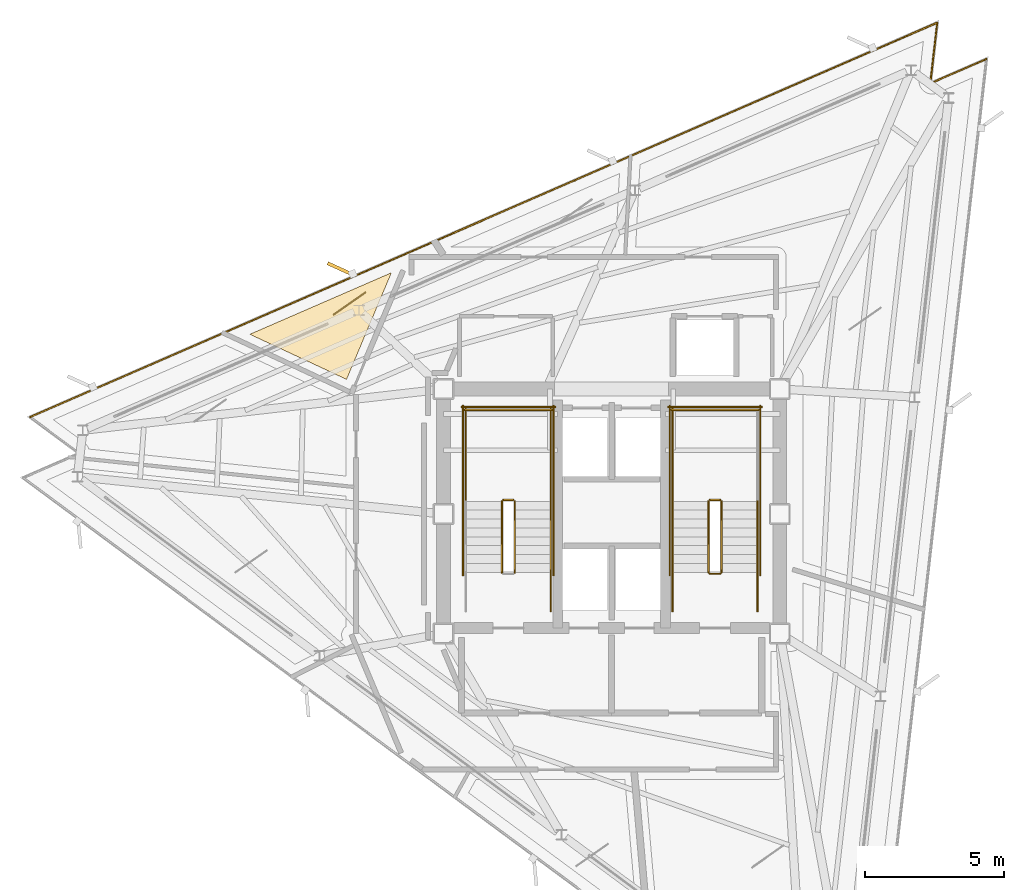
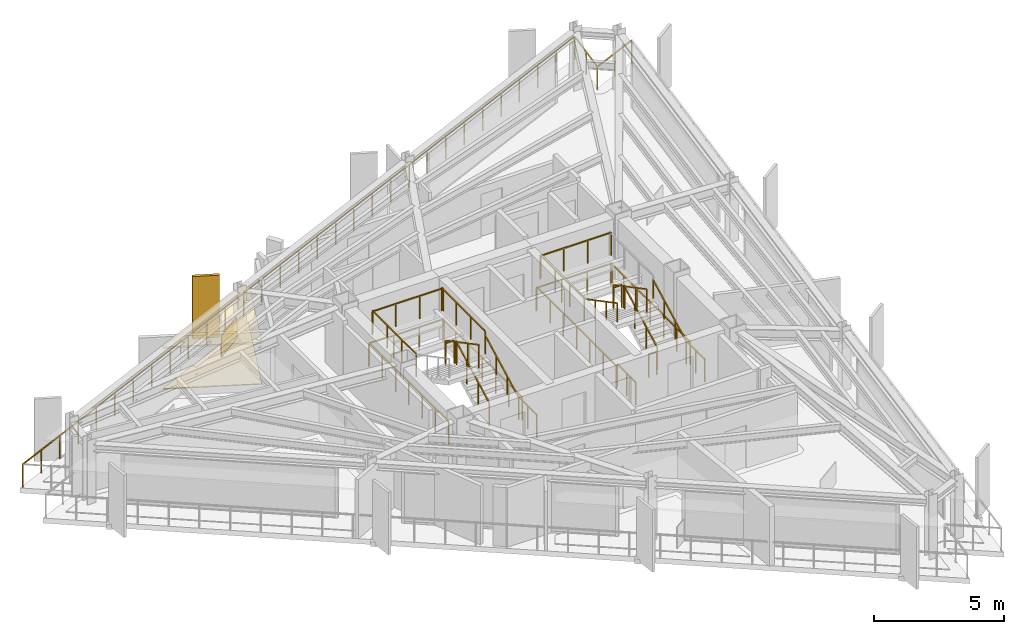
# One storey, part 9 of 10: 25 railings, 3 coverings, 1 shading device.
"""IFC4 building model written with IfcOpenShell, lengths in metres."""

from ifc_helpers import new_model, si_unit, direction, frame, origin, origin_2d, place, context, subcontext, project, spatial, polyline, rectangle, outline, extrude, material, layer, layer_set, type_object, element, save


model = new_model("IFC4")

# Units and contexts
model_context = context("Model", 3, precision=1e-05, world=origin(), true_north=direction((0.0, 1.0)))
body_context = subcontext(model_context, "Body", "Model", "MODEL_VIEW")
ifc_project = project(units=[si_unit("LENGTHUNIT", "METRE"), si_unit("AREAUNIT", "SQUARE_METRE"), si_unit("VOLUMEUNIT", "CUBIC_METRE"), si_unit("PLANEANGLEUNIT", "RADIAN"), si_unit("MASSUNIT", "GRAM", prefix="KILO")], contexts=[model_context])

# Site, building, storey
site_placement = place(None, origin())
site = spatial("IfcSite", under=ifc_project, at=site_placement, CompositionType="ELEMENT")
building_placement = place(site_placement, origin())
building = spatial("IfcBuilding", under=site, at=building_placement, Name="Rocaltana Carrier Exchange", CompositionType="ELEMENT")
storey_placement = place(building_placement, frame((0.0, 0.0, 230.080078125)))
storey = spatial("IfcBuildingStorey", under=building, at=storey_placement, Name="L73", CompositionType="ELEMENT", Elevation=230.080078125)

# Coverings
ifc_material_1 = material(Name="Honed Bogota Sandstone Tile", Category="masonry")
ifc_layer_1 = layer(ifc_material_1, 0.0400390625)
ifc_layer_set_1 = layer_set([ifc_layer_1], Name="Honed Bogota Sandstone Tile")
covering_type_1 = type_object("IfcCoveringType", Name="Honed Stone Lobby Flooring 40", PredefinedType="FLOORING", material=ifc_layer_set_1)
covering_1_placement = place(storey_placement, origin())
element("IfcCovering", 1, at=covering_1_placement, inside=storey, type_object=covering_type_1, Name="L73 Optical Switching Laboratory Finish Floor", PredefinedType="FLOORING", context=body_context, shape_type="SweptSolid", body=[
    extrude(outline(polyline([(-7.927490234375, 8.683837890625), (-9.541015625, 4.84619140625), (-13.021240234375, 6.468994140625), (-7.927490234375, 8.683837890625)])), origin(), (0.0, 0.0, 1.0), 0.0400390625),
])
ifc_material_2 = material(Name="Anodised Aluminium 6063-T6", Category="aluminium")
ifc_layer_2 = layer(ifc_material_2, 0.0849609375)
ifc_layer_set_2 = layer_set([ifc_layer_2], Name="Anodised Aluminium 6063-T6")
covering_type_2 = type_object("IfcCoveringType", Name="Linear Baffle Acoustic Ceiling 85", PredefinedType="CEILING", material=ifc_layer_set_2)
covering_2_placement = place(storey_placement, frame((0.0, 0.0, 1.90283203125)))
element("IfcCovering", 2, at=covering_2_placement, inside=storey, type_object=covering_type_2, Name="L73 Optical Switching Laboratory Acoustic Ceiling", PredefinedType="CEILING", context=body_context, shape_type="SweptSolid", body=[
    extrude(outline(polyline([(-7.927490234375, 8.683837890625), (-9.541015625, 4.84619140625), (-13.021240234375, 6.468994140625), (-7.927490234375, 8.683837890625)])), origin(), (0.0, 0.0, 1.0), 0.085205078125),
])

# Railings
ifc_material_3 = material(Name="Brushed Architectural Stainless Tube", Category="steel")
ifc_layer_3 = layer(ifc_material_3, 0.048095703125)
ifc_layer_set_3 = layer_set([ifc_layer_3], Name="Brushed Architectural Stainless Tube")
railing_type_1 = type_object("IfcRailingType", Name="Stair Wall Handrail 920", PredefinedType="HANDRAIL", material=ifc_layer_set_3)
for number, where, name in (
    (3, (-2.18994140625, -2.10009765625, 0.168701171875), "L73 ST-1 stair handrail 1"),
    (4, (5.25, -2.10009765625, 0.168701171875), "L73 ST-2 stair handrail 1"),
):
    element("IfcRailing", number, at=place(storey_placement, frame(where)), inside=storey, type_object=railing_type_1, Name=name, PredefinedType="HANDRAIL", context=body_context, shape_type="SweptSolid", body=[
        extrude(rectangle(XDim=0.048095703125, YDim=0.048095703125, at=origin_2d()), frame((0.0, 0.0, 0.8759765625), z_axis=(0.0, 0.884359608194, 0.46680625895), x_axis=(-1.0, 0.0, 0.0)), (0.0, 0.0, 1.0), 2.894775390625),
        extrude(rectangle(XDim=0.0419921875, YDim=0.0419921875, at=origin_2d()), origin(), (0.0, 0.0, 1.0), 0.851806640625),
        extrude(rectangle(XDim=0.0419921875, YDim=0.0419921875, at=origin_2d()), frame((0.0, 0.853271484375, 0.450439453125)), (0.0, 0.0, 1.0), 0.851806640625),
        extrude(rectangle(XDim=0.0419921875, YDim=0.0419921875, at=origin_2d()), frame((0.0, 1.706787109375, 0.90087890625)), (0.0, 0.0, 1.0), 0.851806640625),
        extrude(rectangle(XDim=0.0419921875, YDim=0.0419921875, at=origin_2d()), frame((0.0, 2.56005859375, 1.351318359375)), (0.0, 0.0, 1.0), 0.851806640625),
    ])
railing_1_placement = place(storey_placement, frame((2.18994140625, 0.4599609375, 1.688720703125)))
element("IfcRailing", 5, at=railing_1_placement, inside=storey, type_object=railing_type_1, Name="L73 ST-2 stair handrail 2", PredefinedType="HANDRAIL", context=body_context, shape_type="SweptSolid", body=[
    extrude(rectangle(XDim=0.048095703125, YDim=0.048095703125, at=origin_2d()), frame((0.0, 0.0, 0.8759765625), z_axis=(0.0, -0.884359608194, 0.46680625895), x_axis=(1.0, 0.0, 0.0)), (0.0, 0.0, 1.0), 2.894775390625),
    extrude(rectangle(XDim=0.0419921875, YDim=0.0419921875, at=origin_2d()), origin(), (0.0, 0.0, 1.0), 0.851806640625),
    extrude(rectangle(XDim=0.0419921875, YDim=0.0419921875, at=origin_2d()), frame((0.0, -0.853271484375, 0.450439453125)), (0.0, 0.0, 1.0), 0.851806640625),
    extrude(rectangle(XDim=0.0419921875, YDim=0.0419921875, at=origin_2d()), frame((0.0, -1.706787109375, 0.90087890625)), (0.0, 0.0, 1.0), 0.851806640625),
    extrude(rectangle(XDim=0.0419921875, YDim=0.0419921875, at=origin_2d()), frame((0.0, -2.56005859375, 1.351318359375)), (0.0, 0.0, 1.0), 0.851806640625),
])
ifc_material_4 = material(Name="Powder-Coated Aluminium 6063-T6", Category="aluminium")
ifc_layer_4 = layer(ifc_material_4, 0.048095703125)
ifc_layer_set_4 = layer_set([ifc_layer_4], Name="Powder-Coated Aluminium 6063-T6")
railing_type_2 = type_object("IfcRailingType", Name="Stair Well Guardrail 1100", PredefinedType="GUARDRAIL", material=ifc_layer_set_4)
railing_2_placement = place(storey_placement, frame((-3.489990234375, -2.10009765625, 0.168701171875)))
element("IfcRailing", 6, at=railing_2_placement, inside=storey, type_object=railing_type_2, Name="L73 ST-1 stair guard 1", PredefinedType="GUARDRAIL", context=body_context, shape_type="SweptSolid", body=[
    extrude(rectangle(XDim=0.048095703125, YDim=0.048095703125, at=origin_2d()), frame((0.0, 0.0, 1.076171875), z_axis=(0.0, 0.884359608194, 0.46680625895), x_axis=(-1.0, 0.0, 0.0)), (0.0, 0.0, 1.0), 2.894775390625),
    extrude(rectangle(XDim=0.0419921875, YDim=0.0419921875, at=origin_2d()), origin(), (0.0, 0.0, 1.0), 1.052001953125),
    extrude(rectangle(XDim=0.0419921875, YDim=0.0419921875, at=origin_2d()), frame((0.0, 0.853271484375, 0.450439453125)), (0.0, 0.0, 1.0), 1.052001953125),
    extrude(rectangle(XDim=0.0419921875, YDim=0.0419921875, at=origin_2d()), frame((0.0, 1.706787109375, 0.90087890625)), (0.0, 0.0, 1.0), 1.052001953125),
    extrude(rectangle(XDim=0.0419921875, YDim=0.0419921875, at=origin_2d()), frame((0.0, 2.56005859375, 1.351318359375)), (0.0, 0.0, 1.0), 1.052001953125),
])
railing_3_placement = place(storey_placement, frame((-3.5400390625, 0.510009765625, 1.52001953125)))
element("IfcRailing", 7, at=railing_3_placement, inside=storey, type_object=railing_type_2, Name="L73 ST-1 stair guard 2", PredefinedType="GUARDRAIL", context=body_context, shape_type="SweptSolid", body=[
    extrude(rectangle(XDim=0.048095703125, YDim=0.048095703125, at=origin_2d()), frame((0.0, 0.0, 1.076171875), z_axis=(-1.0, 0.0, 0.0), x_axis=(0.0, -1.0, 0.0)), (0.0, 0.0, 1.0), 0.35986328125),
    extrude(rectangle(XDim=0.0419921875, YDim=0.0419921875, at=origin_2d()), origin(), (0.0, 0.0, 1.0), 1.052001953125),
    extrude(rectangle(XDim=0.0419921875, YDim=0.0419921875, at=origin_2d()), frame((-0.35986328125, 0.0, 0.0)), (0.0, 0.0, 1.0), 1.052001953125),
])
for number, where, name in (
    (8, (-2.18994140625, 0.4599609375, 1.52001953125), "L73 ST-1 stair guard 3"),
    (9, (-5.25, 0.4599609375, 1.52001953125), "L73 ST-1 stair guard 4"),
):
    element("IfcRailing", number, at=place(storey_placement, frame(where)), inside=storey, type_object=railing_type_2, Name=name, PredefinedType="GUARDRAIL", context=body_context, shape_type="SweptSolid", body=[
        extrude(rectangle(XDim=0.048095703125, YDim=0.048095703125, at=origin_2d()), frame((0.0, 0.0, 1.076171875), z_axis=(0.0, 1.0, 0.0), x_axis=(-1.0, 0.0, 0.0)), (0.0, 0.0, 1.0), 3.340087890625),
        extrude(rectangle(XDim=0.0419921875, YDim=0.0419921875, at=origin_2d()), origin(), (0.0, 0.0, 1.0), 1.052001953125),
        extrude(rectangle(XDim=0.0419921875, YDim=0.0419921875, at=origin_2d()), frame((0.0, 1.11328125, 0.0)), (0.0, 0.0, 1.0), 1.052001953125),
        extrude(rectangle(XDim=0.0419921875, YDim=0.0419921875, at=origin_2d()), frame((0.0, 2.226806640625, 0.0)), (0.0, 0.0, 1.0), 1.052001953125),
        extrude(rectangle(XDim=0.0419921875, YDim=0.0419921875, at=origin_2d()), frame((0.0, 3.340087890625, 0.0)), (0.0, 0.0, 1.0), 1.052001953125),
    ])
railing_4_placement = place(storey_placement, frame((-2.139892578125, 3.75, 1.52001953125)))
element("IfcRailing", 10, at=railing_4_placement, inside=storey, type_object=railing_type_2, Name="L73 ST-1 stair guard 5", PredefinedType="GUARDRAIL", context=body_context, shape_type="SweptSolid", body=[
    extrude(rectangle(XDim=0.048095703125, YDim=0.048095703125, at=origin_2d()), frame((0.0, 0.0, 1.076171875), z_axis=(-1.0, 0.0, 0.0), x_axis=(0.0, -1.0, 0.0)), (0.0, 0.0, 1.0), 3.16015625),
    extrude(rectangle(XDim=0.0419921875, YDim=0.0419921875, at=origin_2d()), origin(), (0.0, 0.0, 1.0), 1.052001953125),
    extrude(rectangle(XDim=0.0419921875, YDim=0.0419921875, at=origin_2d()), frame((-1.053466796875, 0.0, 0.0)), (0.0, 0.0, 1.0), 1.052001953125),
    extrude(rectangle(XDim=0.0419921875, YDim=0.0419921875, at=origin_2d()), frame((-2.106689453125, 0.0, 0.0)), (0.0, 0.0, 1.0), 1.052001953125),
    extrude(rectangle(XDim=0.0419921875, YDim=0.0419921875, at=origin_2d()), frame((-3.16015625, 0.0, 0.0)), (0.0, 0.0, 1.0), 1.052001953125),
])
railing_5_placement = place(storey_placement, frame((-3.949951171875, 0.4599609375, 1.688720703125)))
element("IfcRailing", 11, at=railing_5_placement, inside=storey, type_object=railing_type_2, Name="L73 ST-1 stair guard 6", PredefinedType="GUARDRAIL", context=body_context, shape_type="SweptSolid", body=[
    extrude(rectangle(XDim=0.048095703125, YDim=0.048095703125, at=origin_2d()), frame((0.0, 0.0, 1.076171875), z_axis=(0.0, -0.884359608194, 0.46680625895), x_axis=(1.0, 0.0, 0.0)), (0.0, 0.0, 1.0), 2.894775390625),
    extrude(rectangle(XDim=0.0419921875, YDim=0.0419921875, at=origin_2d()), origin(), (0.0, 0.0, 1.0), 1.052001953125),
    extrude(rectangle(XDim=0.0419921875, YDim=0.0419921875, at=origin_2d()), frame((0.0, -0.853271484375, 0.450439453125)), (0.0, 0.0, 1.0), 1.052001953125),
    extrude(rectangle(XDim=0.0419921875, YDim=0.0419921875, at=origin_2d()), frame((0.0, -1.706787109375, 0.90087890625)), (0.0, 0.0, 1.0), 1.052001953125),
    extrude(rectangle(XDim=0.0419921875, YDim=0.0419921875, at=origin_2d()), frame((0.0, -2.56005859375, 1.351318359375)), (0.0, 0.0, 1.0), 1.052001953125),
])
railing_6_placement = place(storey_placement, frame((-2.18994140625, -3.5, 0.0)))
element("IfcRailing", 12, at=railing_6_placement, inside=storey, type_object=railing_type_2, Name="L73 ST-1 stair guard 8", PredefinedType="GUARDRAIL", context=body_context, shape_type="SweptSolid", body=[
    extrude(rectangle(XDim=0.048095703125, YDim=0.048095703125, at=origin_2d()), frame((0.0, 0.0, 1.076171875), z_axis=(0.0, 1.0, 0.0), x_axis=(-1.0, 0.0, 0.0)), (0.0, 0.0, 1.0), 1.39990234375),
    extrude(rectangle(XDim=0.0419921875, YDim=0.0419921875, at=origin_2d()), origin(), (0.0, 0.0, 1.0), 1.052001953125),
    extrude(rectangle(XDim=0.0419921875, YDim=0.0419921875, at=origin_2d()), frame((0.0, 0.699951171875, 0.0)), (0.0, 0.0, 1.0), 1.052001953125),
    extrude(rectangle(XDim=0.0419921875, YDim=0.0419921875, at=origin_2d()), frame((0.0, 1.39990234375, 0.0)), (0.0, 0.0, 1.0), 1.052001953125),
])
for number, where, name in (
    (13, (-2.090087890625, -2.199951171875, 0.0), "L73 ST-1 stair guard 10"),
    (14, (-5.35009765625, -2.199951171875, 0.0), "L73 ST-1 stair guard 11"),
):
    element("IfcRailing", number, at=place(storey_placement, frame(where)), inside=storey, type_object=railing_type_2, Name=name, PredefinedType="GUARDRAIL", context=body_context, shape_type="SweptSolid", body=[
        extrude(rectangle(XDim=0.048095703125, YDim=0.048095703125, at=origin_2d()), frame((0.0, 0.0, 1.076171875), z_axis=(0.0, 1.0, 0.0), x_axis=(-1.0, 0.0, 0.0)), (0.0, 0.0, 1.0), 6.099853515625),
        extrude(rectangle(XDim=0.0419921875, YDim=0.0419921875, at=origin_2d()), origin(), (0.0, 0.0, 1.0), 1.052001953125),
        extrude(rectangle(XDim=0.0419921875, YDim=0.0419921875, at=origin_2d()), frame((0.0, 1.0166015625, 0.0)), (0.0, 0.0, 1.0), 1.052001953125),
        extrude(rectangle(XDim=0.0419921875, YDim=0.0419921875, at=origin_2d()), frame((0.0, 2.033203125, 0.0)), (0.0, 0.0, 1.0), 1.052001953125),
        extrude(rectangle(XDim=0.0419921875, YDim=0.0419921875, at=origin_2d()), frame((0.0, 3.0498046875, 0.0)), (0.0, 0.0, 1.0), 1.052001953125),
        extrude(rectangle(XDim=0.0419921875, YDim=0.0419921875, at=origin_2d()), frame((0.0, 4.066650390625, 0.0)), (0.0, 0.0, 1.0), 1.052001953125),
        extrude(rectangle(XDim=0.0419921875, YDim=0.0419921875, at=origin_2d()), frame((0.0, 5.083251953125, 0.0)), (0.0, 0.0, 1.0), 1.052001953125),
        extrude(rectangle(XDim=0.0419921875, YDim=0.0419921875, at=origin_2d()), frame((0.0, 6.099853515625, 0.0)), (0.0, 0.0, 1.0), 1.052001953125),
    ])
railing_7_placement = place(storey_placement, frame((-2.0400390625, 3.85009765625, 0.0)))
element("IfcRailing", 15, at=railing_7_placement, inside=storey, type_object=railing_type_2, Name="L73 ST-1 stair guard 12", PredefinedType="GUARDRAIL", context=body_context, shape_type="SweptSolid", body=[
    extrude(rectangle(XDim=0.048095703125, YDim=0.048095703125, at=origin_2d()), frame((0.0, 0.0, 1.076171875), z_axis=(-1.0, 0.0, 0.0), x_axis=(0.0, -1.0, 0.0)), (0.0, 0.0, 1.0), 3.35986328125),
    extrude(rectangle(XDim=0.0419921875, YDim=0.0419921875, at=origin_2d()), origin(), (0.0, 0.0, 1.0), 1.052001953125),
    extrude(rectangle(XDim=0.0419921875, YDim=0.0419921875, at=origin_2d()), frame((-1.119873046875, 0.0, 0.0)), (0.0, 0.0, 1.0), 1.052001953125),
    extrude(rectangle(XDim=0.0419921875, YDim=0.0419921875, at=origin_2d()), frame((-2.239990234375, 0.0, 0.0)), (0.0, 0.0, 1.0), 1.052001953125),
    extrude(rectangle(XDim=0.0419921875, YDim=0.0419921875, at=origin_2d()), frame((-3.35986328125, 0.0, 0.0)), (0.0, 0.0, 1.0), 1.052001953125),
])
railing_8_placement = place(storey_placement, frame((3.949951171875, -2.10009765625, 0.168701171875)))
element("IfcRailing", 16, at=railing_8_placement, inside=storey, type_object=railing_type_2, Name="L73 ST-2 stair guard 1", PredefinedType="GUARDRAIL", context=body_context, shape_type="SweptSolid", body=[
    extrude(rectangle(XDim=0.048095703125, YDim=0.048095703125, at=origin_2d()), frame((0.0, 0.0, 1.076171875), z_axis=(0.0, 0.884359608194, 0.46680625895), x_axis=(-1.0, 0.0, 0.0)), (0.0, 0.0, 1.0), 2.894775390625),
    extrude(rectangle(XDim=0.0419921875, YDim=0.0419921875, at=origin_2d()), origin(), (0.0, 0.0, 1.0), 1.052001953125),
    extrude(rectangle(XDim=0.0419921875, YDim=0.0419921875, at=origin_2d()), frame((0.0, 0.853271484375, 0.450439453125)), (0.0, 0.0, 1.0), 1.052001953125),
    extrude(rectangle(XDim=0.0419921875, YDim=0.0419921875, at=origin_2d()), frame((0.0, 1.706787109375, 0.90087890625)), (0.0, 0.0, 1.0), 1.052001953125),
    extrude(rectangle(XDim=0.0419921875, YDim=0.0419921875, at=origin_2d()), frame((0.0, 2.56005859375, 1.351318359375)), (0.0, 0.0, 1.0), 1.052001953125),
])
railing_9_placement = place(storey_placement, frame((3.89990234375, 0.510009765625, 1.52001953125)))
element("IfcRailing", 17, at=railing_9_placement, inside=storey, type_object=railing_type_2, Name="L73 ST-2 stair guard 2", PredefinedType="GUARDRAIL", context=body_context, shape_type="SweptSolid", body=[
    extrude(rectangle(XDim=0.048095703125, YDim=0.048095703125, at=origin_2d()), frame((0.0, 0.0, 1.076171875), z_axis=(-1.0, 0.0, 0.0), x_axis=(0.0, -1.0, 0.0)), (0.0, 0.0, 1.0), 0.35986328125),
    extrude(rectangle(XDim=0.0419921875, YDim=0.0419921875, at=origin_2d()), origin(), (0.0, 0.0, 1.0), 1.052001953125),
    extrude(rectangle(XDim=0.0419921875, YDim=0.0419921875, at=origin_2d()), frame((-0.35986328125, 0.0, 0.0)), (0.0, 0.0, 1.0), 1.052001953125),
])
railing_10_placement = place(storey_placement, frame((2.18994140625, 0.4599609375, 1.52001953125)))
element("IfcRailing", 18, at=railing_10_placement, inside=storey, type_object=railing_type_2, Name="L73 ST-2 stair guard 4", PredefinedType="GUARDRAIL", context=body_context, shape_type="SweptSolid", body=[
    extrude(rectangle(XDim=0.048095703125, YDim=0.048095703125, at=origin_2d()), frame((0.0, 0.0, 1.076171875), z_axis=(0.0, 1.0, 0.0), x_axis=(-1.0, 0.0, 0.0)), (0.0, 0.0, 1.0), 3.340087890625),
    extrude(rectangle(XDim=0.0419921875, YDim=0.0419921875, at=origin_2d()), origin(), (0.0, 0.0, 1.0), 1.052001953125),
    extrude(rectangle(XDim=0.0419921875, YDim=0.0419921875, at=origin_2d()), frame((0.0, 1.11328125, 0.0)), (0.0, 0.0, 1.0), 1.052001953125),
    extrude(rectangle(XDim=0.0419921875, YDim=0.0419921875, at=origin_2d()), frame((0.0, 2.226806640625, 0.0)), (0.0, 0.0, 1.0), 1.052001953125),
    extrude(rectangle(XDim=0.0419921875, YDim=0.0419921875, at=origin_2d()), frame((0.0, 3.340087890625, 0.0)), (0.0, 0.0, 1.0), 1.052001953125),
])
railing_11_placement = place(storey_placement, frame((5.300048828125, 3.75, 1.52001953125)))
element("IfcRailing", 19, at=railing_11_placement, inside=storey, type_object=railing_type_2, Name="L73 ST-2 stair guard 5", PredefinedType="GUARDRAIL", context=body_context, shape_type="SweptSolid", body=[
    extrude(rectangle(XDim=0.048095703125, YDim=0.048095703125, at=origin_2d()), frame((0.0, 0.0, 1.076171875), z_axis=(-1.0, 0.0, 0.0), x_axis=(0.0, -1.0, 0.0)), (0.0, 0.0, 1.0), 3.16015625),
    extrude(rectangle(XDim=0.0419921875, YDim=0.0419921875, at=origin_2d()), origin(), (0.0, 0.0, 1.0), 1.052001953125),
    extrude(rectangle(XDim=0.0419921875, YDim=0.0419921875, at=origin_2d()), frame((-1.053466796875, 0.0, 0.0)), (0.0, 0.0, 1.0), 1.052001953125),
    extrude(rectangle(XDim=0.0419921875, YDim=0.0419921875, at=origin_2d()), frame((-2.106689453125, 0.0, 0.0)), (0.0, 0.0, 1.0), 1.052001953125),
    extrude(rectangle(XDim=0.0419921875, YDim=0.0419921875, at=origin_2d()), frame((-3.16015625, 0.0, 0.0)), (0.0, 0.0, 1.0), 1.052001953125),
])
railing_12_placement = place(storey_placement, frame((3.489990234375, 0.4599609375, 1.688720703125)))
element("IfcRailing", 20, at=railing_12_placement, inside=storey, type_object=railing_type_2, Name="L73 ST-2 stair guard 6", PredefinedType="GUARDRAIL", context=body_context, shape_type="SweptSolid", body=[
    extrude(rectangle(XDim=0.048095703125, YDim=0.048095703125, at=origin_2d()), frame((0.0, 0.0, 1.076171875), z_axis=(0.0, -0.884359608194, 0.46680625895), x_axis=(1.0, 0.0, 0.0)), (0.0, 0.0, 1.0), 2.894775390625),
    extrude(rectangle(XDim=0.0419921875, YDim=0.0419921875, at=origin_2d()), origin(), (0.0, 0.0, 1.0), 1.052001953125),
    extrude(rectangle(XDim=0.0419921875, YDim=0.0419921875, at=origin_2d()), frame((0.0, -0.853271484375, 0.450439453125)), (0.0, 0.0, 1.0), 1.052001953125),
    extrude(rectangle(XDim=0.0419921875, YDim=0.0419921875, at=origin_2d()), frame((0.0, -1.706787109375, 0.90087890625)), (0.0, 0.0, 1.0), 1.052001953125),
    extrude(rectangle(XDim=0.0419921875, YDim=0.0419921875, at=origin_2d()), frame((0.0, -2.56005859375, 1.351318359375)), (0.0, 0.0, 1.0), 1.052001953125),
])
railing_13_placement = place(storey_placement, frame((3.89990234375, -2.14990234375, 0.0)))
element("IfcRailing", 21, at=railing_13_placement, inside=storey, type_object=railing_type_2, Name="L73 ST-2 stair guard 7", PredefinedType="GUARDRAIL", context=body_context, shape_type="SweptSolid", body=[
    extrude(rectangle(XDim=0.048095703125, YDim=0.048095703125, at=origin_2d()), frame((0.0, 0.0, 1.076171875), z_axis=(-1.0, 0.0, 0.0), x_axis=(0.0, -1.0, 0.0)), (0.0, 0.0, 1.0), 0.35986328125),
    extrude(rectangle(XDim=0.0419921875, YDim=0.0419921875, at=origin_2d()), origin(), (0.0, 0.0, 1.0), 1.052001953125),
    extrude(rectangle(XDim=0.0419921875, YDim=0.0419921875, at=origin_2d()), frame((-0.35986328125, 0.0, 0.0)), (0.0, 0.0, 1.0), 1.052001953125),
])
for number, where, name in (
    (22, (5.25, -3.5, 0.0), "L73 ST-2 stair guard 8"),
    (23, (2.18994140625, -3.5, 0.0), "L73 ST-2 stair guard 9"),
):
    element("IfcRailing", number, at=place(storey_placement, frame(where)), inside=storey, type_object=railing_type_2, Name=name, PredefinedType="GUARDRAIL", context=body_context, shape_type="SweptSolid", body=[
        extrude(rectangle(XDim=0.048095703125, YDim=0.048095703125, at=origin_2d()), frame((0.0, 0.0, 1.076171875), z_axis=(0.0, 1.0, 0.0), x_axis=(-1.0, 0.0, 0.0)), (0.0, 0.0, 1.0), 1.39990234375),
        extrude(rectangle(XDim=0.0419921875, YDim=0.0419921875, at=origin_2d()), origin(), (0.0, 0.0, 1.0), 1.052001953125),
        extrude(rectangle(XDim=0.0419921875, YDim=0.0419921875, at=origin_2d()), frame((0.0, 0.699951171875, 0.0)), (0.0, 0.0, 1.0), 1.052001953125),
        extrude(rectangle(XDim=0.0419921875, YDim=0.0419921875, at=origin_2d()), frame((0.0, 1.39990234375, 0.0)), (0.0, 0.0, 1.0), 1.052001953125),
    ])
for number, where, name in (
    (24, (5.35009765625, -2.199951171875, 0.0), "L73 ST-2 stair guard 10"),
    (25, (2.090087890625, -2.199951171875, 0.0), "L73 ST-2 stair guard 11"),
):
    element("IfcRailing", number, at=place(storey_placement, frame(where)), inside=storey, type_object=railing_type_2, Name=name, PredefinedType="GUARDRAIL", context=body_context, shape_type="SweptSolid", body=[
        extrude(rectangle(XDim=0.048095703125, YDim=0.048095703125, at=origin_2d()), frame((0.0, 0.0, 1.076171875), z_axis=(0.0, 1.0, 0.0), x_axis=(-1.0, 0.0, 0.0)), (0.0, 0.0, 1.0), 6.099853515625),
        extrude(rectangle(XDim=0.0419921875, YDim=0.0419921875, at=origin_2d()), origin(), (0.0, 0.0, 1.0), 1.052001953125),
        extrude(rectangle(XDim=0.0419921875, YDim=0.0419921875, at=origin_2d()), frame((0.0, 1.0166015625, 0.0)), (0.0, 0.0, 1.0), 1.052001953125),
        extrude(rectangle(XDim=0.0419921875, YDim=0.0419921875, at=origin_2d()), frame((0.0, 2.033203125, 0.0)), (0.0, 0.0, 1.0), 1.052001953125),
        extrude(rectangle(XDim=0.0419921875, YDim=0.0419921875, at=origin_2d()), frame((0.0, 3.0498046875, 0.0)), (0.0, 0.0, 1.0), 1.052001953125),
        extrude(rectangle(XDim=0.0419921875, YDim=0.0419921875, at=origin_2d()), frame((0.0, 4.066650390625, 0.0)), (0.0, 0.0, 1.0), 1.052001953125),
        extrude(rectangle(XDim=0.0419921875, YDim=0.0419921875, at=origin_2d()), frame((0.0, 5.083251953125, 0.0)), (0.0, 0.0, 1.0), 1.052001953125),
        extrude(rectangle(XDim=0.0419921875, YDim=0.0419921875, at=origin_2d()), frame((0.0, 6.099853515625, 0.0)), (0.0, 0.0, 1.0), 1.052001953125),
    ])
railing_14_placement = place(storey_placement, frame((5.39990234375, 3.85009765625, 0.0)))
element("IfcRailing", 26, at=railing_14_placement, inside=storey, type_object=railing_type_2, Name="L73 ST-2 stair guard 12", PredefinedType="GUARDRAIL", context=body_context, shape_type="SweptSolid", body=[
    extrude(rectangle(XDim=0.048095703125, YDim=0.048095703125, at=origin_2d()), frame((0.0, 0.0, 1.076171875), z_axis=(-1.0, 0.0, 0.0), x_axis=(0.0, -1.0, 0.0)), (0.0, 0.0, 1.0), 3.35986328125),
    extrude(rectangle(XDim=0.0419921875, YDim=0.0419921875, at=origin_2d()), origin(), (0.0, 0.0, 1.0), 1.052001953125),
    extrude(rectangle(XDim=0.0419921875, YDim=0.0419921875, at=origin_2d()), frame((-1.119873046875, 0.0, 0.0)), (0.0, 0.0, 1.0), 1.052001953125),
    extrude(rectangle(XDim=0.0419921875, YDim=0.0419921875, at=origin_2d()), frame((-2.239990234375, 0.0, 0.0)), (0.0, 0.0, 1.0), 1.052001953125),
    extrude(rectangle(XDim=0.0419921875, YDim=0.0419921875, at=origin_2d()), frame((-3.35986328125, 0.0, 0.0)), (0.0, 0.0, 1.0), 1.052001953125),
])

# Covering
ifc_material_5 = material(Name="Honed Piedra Muneca Sandstone", Category="masonry")
ifc_layer_5 = layer(ifc_material_5, 0.034912109375)
ifc_layer_set_5 = layer_set([ifc_layer_5], Name="Honed Piedra Muneca Sandstone")
covering_type_3 = type_object("IfcCoveringType", Name="Stone Facade Cladding 35", PredefinedType="CLADDING", material=ifc_layer_set_5)
covering_3_placement = place(storey_placement, frame((-9.43359375, 7.576416015625, 0.0), z_axis=(0.0, 0.0, 1.0), x_axis=(0.819152044289, 0.573576436351, 0.0)))
element("IfcCovering", 27, at=covering_3_placement, inside=storey, type_object=covering_type_3, Name="L73 Stone Facade Cladding Panel 6", PredefinedType="CLADDING", context=body_context, shape_type="SweptSolid", body=[
    extrude(rectangle(XDim=1.39990234375, YDim=0.034912109375, at=origin_2d()), origin(), (0.0, 0.0, 1.0), 1.050048828125),
])

# Shading device
ifc_material_6 = material(Name="Honed Bogota Sandstone & Concrete C45/55", Category="masonry")
ifc_layer_6 = layer(ifc_material_6, 0.1201171875)
ifc_layer_set_6 = layer_set([ifc_layer_6], Name="Honed Bogota Sandstone & Concrete C45/55")
shading_device_type = type_object("IfcShadingDeviceType", Name="Upper Sandstone Shading Fin 1050x120", PredefinedType="USERDEFINED", material=ifc_layer_set_6)
shading_device_placement = place(storey_placement, frame((-9.74560546875, 8.809814453125, -0.1201171875), z_axis=(0.0, 0.0, 1.0), x_axis=(-0.909961270877, 0.414693242656, 0.0)))
element("IfcShadingDevice", 28, at=shading_device_placement, inside=storey, type_object=shading_device_type, Name="L73 Sandstone Vertical Fin F2-03", ObjectType="FIN", PredefinedType="USERDEFINED", context=body_context, shape_type="SweptSolid", body=[
    extrude(rectangle(XDim=1.050048828125, YDim=0.1201171875, at=origin_2d()), origin(), (0.0, 0.0, 1.0), 2.91796875),
])

# Railing
ifc_material_7 = material(Name="Powder-Coated Aluminium 6063-T6", Category="aluminium")
ifc_layer_7 = layer(ifc_material_7, 0.06005859375)
ifc_layer_set_7 = layer_set([ifc_layer_7], Name="Powder-Coated Aluminium 6063-T6")
railing_type_3 = type_object("IfcRailingType", Name="Wind-Floor & Terrace Perimeter Guardrail 1100", PredefinedType="GUARDRAIL", material=ifc_layer_set_7)
railing_15_placement = place(storey_placement, frame((-20.923583984375, 3.490966796875, 0.0)))
element("IfcRailing", 29, at=railing_15_placement, inside=storey, type_object=railing_type_3, Name="L73 Perimeter Balcony Guardrail 2", PredefinedType="GUARDRAIL", context=body_context, shape_type="SweptSolid", body=[
    extrude(rectangle(XDim=0.048095703125, YDim=0.048095703125, at=origin_2d()), frame((0.0, 0.0, 1.076171875), z_axis=(0.917059586912, 0.398750190034, 0.0), x_axis=(-0.398750190034, 0.917059586912, 0.0)), (0.0, 0.0, 1.0), 35.59228515625),
    extrude(rectangle(XDim=0.048095703125, YDim=0.048095703125, at=origin_2d()), frame((32.64013671875, 14.1923828125, 1.076171875), z_axis=(-0.113196037832, -0.993572673245, 0.0), x_axis=(0.993572673245, -0.113196037832, 0.0)), (0.0, 0.0, 1.0), 2.199951171875),
    extrude(rectangle(XDim=0.048095703125, YDim=0.048095703125, at=origin_2d()), frame((32.39111328125, 12.006591796875, 1.076171875), z_axis=(0.917071820503, 0.398722053614, 0.0), x_axis=(-0.398722053614, 0.917071820503, 0.0)), (0.0, 0.0, 1.0), 2.199951171875),
    extrude(rectangle(XDim=0.0419921875, YDim=0.0419921875, at=origin_2d()), origin(), (0.0, 0.0, 1.0), 1.052001953125),
    extrude(rectangle(XDim=0.0419921875, YDim=0.0419921875, at=origin_2d()), frame((1.087890625, 0.47314453125, 0.0)), (0.0, 0.0, 1.0), 1.052001953125),
    extrude(rectangle(XDim=0.0419921875, YDim=0.0419921875, at=origin_2d()), frame((2.176025390625, 0.946044921875, 0.0)), (0.0, 0.0, 1.0), 1.052001953125),
    extrude(rectangle(XDim=0.0419921875, YDim=0.0419921875, at=origin_2d()), frame((3.263916015625, 1.419189453125, 0.0)), (0.0, 0.0, 1.0), 1.052001953125),
    extrude(rectangle(XDim=0.0419921875, YDim=0.0419921875, at=origin_2d()), frame((4.35205078125, 1.892333984375, 0.0)), (0.0, 0.0, 1.0), 1.052001953125),
    extrude(rectangle(XDim=0.0419921875, YDim=0.0419921875, at=origin_2d()), frame((5.43994140625, 2.365478515625, 0.0)), (0.0, 0.0, 1.0), 1.052001953125),
    extrude(rectangle(XDim=0.0419921875, YDim=0.0419921875, at=origin_2d()), frame((6.528076171875, 2.83837890625, 0.0)), (0.0, 0.0, 1.0), 1.052001953125),
    extrude(rectangle(XDim=0.0419921875, YDim=0.0419921875, at=origin_2d()), frame((7.615966796875, 3.3115234375, 0.0)), (0.0, 0.0, 1.0), 1.052001953125),
    extrude(rectangle(XDim=0.0419921875, YDim=0.0419921875, at=origin_2d()), frame((8.7041015625, 3.78466796875, 0.0)), (0.0, 0.0, 1.0), 1.052001953125),
    extrude(rectangle(XDim=0.0419921875, YDim=0.0419921875, at=origin_2d()), frame((9.7919921875, 4.2578125, 0.0)), (0.0, 0.0, 1.0), 1.052001953125),
    extrude(rectangle(XDim=0.0419921875, YDim=0.0419921875, at=origin_2d()), frame((10.880126953125, 4.730712890625, 0.0)), (0.0, 0.0, 1.0), 1.052001953125),
    extrude(rectangle(XDim=0.0419921875, YDim=0.0419921875, at=origin_2d()), frame((11.968017578125, 5.203857421875, 0.0)), (0.0, 0.0, 1.0), 1.052001953125),
    extrude(rectangle(XDim=0.0419921875, YDim=0.0419921875, at=origin_2d()), frame((13.05615234375, 5.677001953125, 0.0)), (0.0, 0.0, 1.0), 1.052001953125),
    extrude(rectangle(XDim=0.0419921875, YDim=0.0419921875, at=origin_2d()), frame((14.14404296875, 6.150146484375, 0.0)), (0.0, 0.0, 1.0), 1.052001953125),
    extrude(rectangle(XDim=0.0419921875, YDim=0.0419921875, at=origin_2d()), frame((15.232177734375, 6.623046875, 0.0)), (0.0, 0.0, 1.0), 1.052001953125),
    extrude(rectangle(XDim=0.0419921875, YDim=0.0419921875, at=origin_2d()), frame((16.320068359375, 7.09619140625, 0.0)), (0.0, 0.0, 1.0), 1.052001953125),
    extrude(rectangle(XDim=0.0419921875, YDim=0.0419921875, at=origin_2d()), frame((17.407958984375, 7.5693359375, 0.0)), (0.0, 0.0, 1.0), 1.052001953125),
    extrude(rectangle(XDim=0.0419921875, YDim=0.0419921875, at=origin_2d()), frame((18.49609375, 8.042236328125, 0.0)), (0.0, 0.0, 1.0), 1.052001953125),
    extrude(rectangle(XDim=0.0419921875, YDim=0.0419921875, at=origin_2d()), frame((19.583984375, 8.515380859375, 0.0)), (0.0, 0.0, 1.0), 1.052001953125),
    extrude(rectangle(XDim=0.0419921875, YDim=0.0419921875, at=origin_2d()), frame((20.672119140625, 8.988525390625, 0.0)), (0.0, 0.0, 1.0), 1.052001953125),
    extrude(rectangle(XDim=0.0419921875, YDim=0.0419921875, at=origin_2d()), frame((21.760009765625, 9.461669921875, 0.0)), (0.0, 0.0, 1.0), 1.052001953125),
    extrude(rectangle(XDim=0.0419921875, YDim=0.0419921875, at=origin_2d()), frame((22.84814453125, 9.9345703125, 0.0)), (0.0, 0.0, 1.0), 1.052001953125),
    extrude(rectangle(XDim=0.0419921875, YDim=0.0419921875, at=origin_2d()), frame((23.93603515625, 10.40771484375, 0.0)), (0.0, 0.0, 1.0), 1.052001953125),
    extrude(rectangle(XDim=0.0419921875, YDim=0.0419921875, at=origin_2d()), frame((25.024169921875, 10.880859375, 0.0)), (0.0, 0.0, 1.0), 1.052001953125),
    extrude(rectangle(XDim=0.0419921875, YDim=0.0419921875, at=origin_2d()), frame((26.112060546875, 11.35400390625, 0.0)), (0.0, 0.0, 1.0), 1.052001953125),
    extrude(rectangle(XDim=0.0419921875, YDim=0.0419921875, at=origin_2d()), frame((27.2001953125, 11.826904296875, 0.0)), (0.0, 0.0, 1.0), 1.052001953125),
    extrude(rectangle(XDim=0.0419921875, YDim=0.0419921875, at=origin_2d()), frame((28.2880859375, 12.300048828125, 0.0)), (0.0, 0.0, 1.0), 1.052001953125),
    extrude(rectangle(XDim=0.0419921875, YDim=0.0419921875, at=origin_2d()), frame((29.376220703125, 12.773193359375, 0.0)), (0.0, 0.0, 1.0), 1.052001953125),
    extrude(rectangle(XDim=0.0419921875, YDim=0.0419921875, at=origin_2d()), frame((30.464111328125, 13.246337890625, 0.0)), (0.0, 0.0, 1.0), 1.052001953125),
    extrude(rectangle(XDim=0.0419921875, YDim=0.0419921875, at=origin_2d()), frame((31.55224609375, 13.71923828125, 0.0)), (0.0, 0.0, 1.0), 1.052001953125),
    extrude(rectangle(XDim=0.0419921875, YDim=0.0419921875, at=origin_2d()), frame((32.64013671875, 14.1923828125, 0.0)), (0.0, 0.0, 1.0), 1.052001953125),
    extrude(rectangle(XDim=0.0419921875, YDim=0.0419921875, at=origin_2d()), frame((32.515625, 13.099609375, 0.0)), (0.0, 0.0, 1.0), 1.052001953125),
    extrude(rectangle(XDim=0.0419921875, YDim=0.0419921875, at=origin_2d()), frame((32.39111328125, 12.006591796875, 0.0)), (0.0, 0.0, 1.0), 1.052001953125),
    extrude(rectangle(XDim=0.0419921875, YDim=0.0419921875, at=origin_2d()), frame((33.39990234375, 12.4453125, 0.0)), (0.0, 0.0, 1.0), 1.052001953125),
    extrude(rectangle(XDim=0.0419921875, YDim=0.0419921875, at=origin_2d()), frame((34.40869140625, 12.8837890625, 0.0)), (0.0, 0.0, 1.0), 1.052001953125),
])

save(model, "model.ifc")
